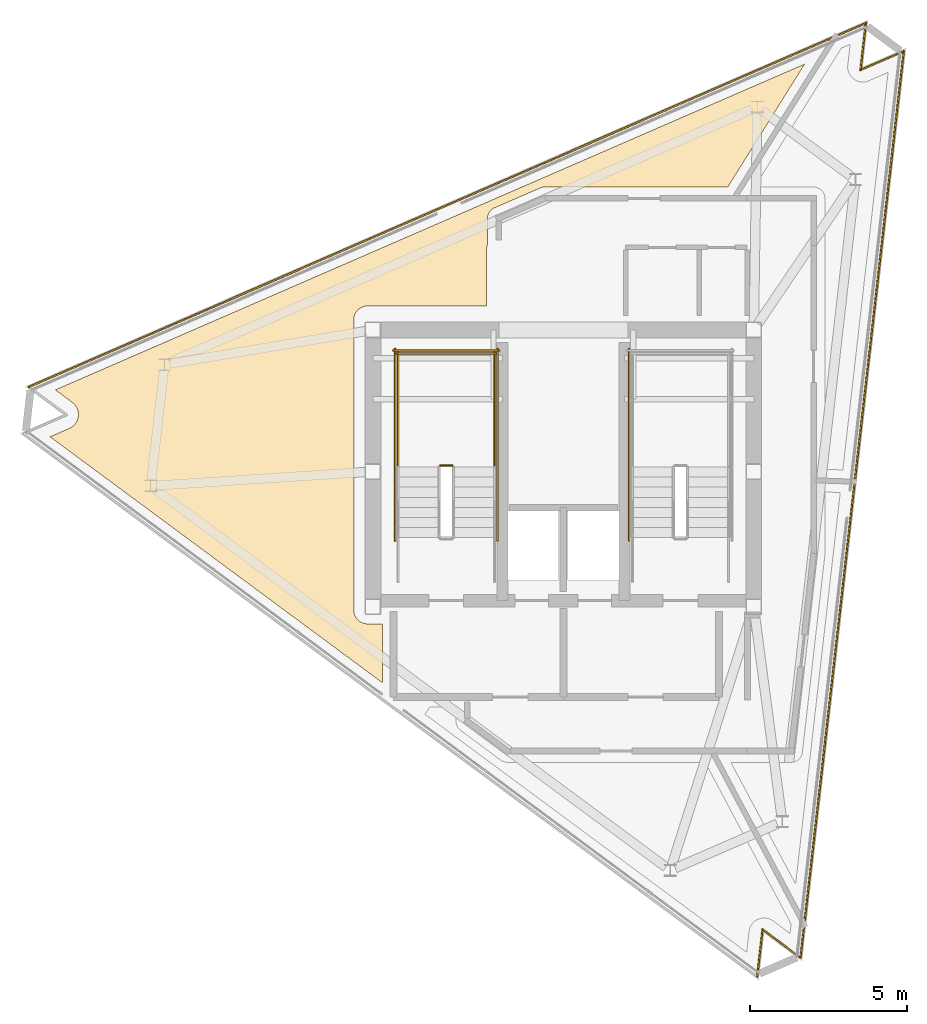
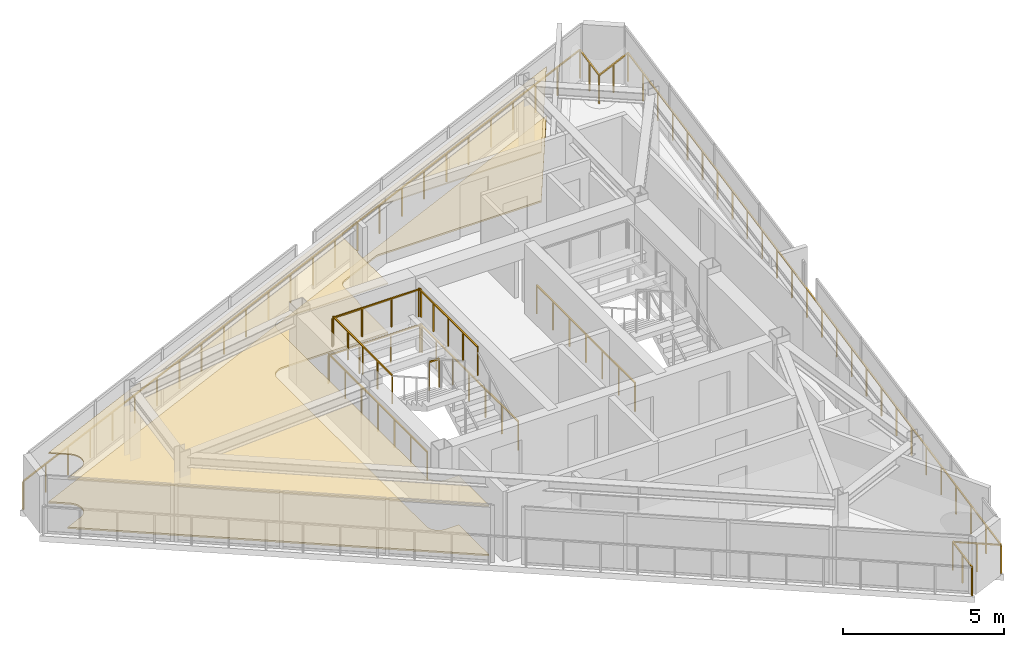
# One storey, part 9 of 10: 10 railings, 2 coverings.
"""IFC4 building model written with IfcOpenShell, lengths in metres."""

import ifcopenshell
import ifcopenshell.guid

model = None  # the IFC model being written
_history = None  # IfcOwnerHistory: only IFC2X3 demands one
_inside = {}  # id of a spatial element -> (the spatial element, [elements in it])
_under = {}  # id of a project, library or spatial element -> (it, [spatial elements below it])
_declared = {}  # id of a project -> (the project, [libraries it declares])
_typed = {}  # id of a type object -> (the type object, [elements of that type])
_made_of = {}  # id of a material, layer set ... -> (it, [elements and type objects made of it])


def new_model(schema):
    """Start an empty IFC model of exactly this schema.

    Asked for "IFC4X3", IfcOpenShell would pick the latest addendum, in which some entities
    have other attributes; the version numbers below select the first issue.
    IFC2X3 requires an IfcOwnerHistory on every rooted entity: one is made here for all.
    """
    global model, _history
    if schema == "IFC4X3":
        model = ifcopenshell.file(schema_version=(4, 3, 0, 0))
    else:
        model = ifcopenshell.file(schema=schema)
    _inside.clear()
    _under.clear()
    _declared.clear()
    _typed.clear()
    _made_of.clear()
    _history = None
    if model.schema == "IFC2X3":
        org = make("IfcOrganization", Name="unknown")
        user = make(
            "IfcPersonAndOrganization",
            ThePerson=make("IfcPerson", FamilyName="unknown"),
            TheOrganization=org,
        )
        app = make(
            "IfcApplication",
            ApplicationDeveloper=org,
            Version="unknown",
            ApplicationFullName="unknown",
            ApplicationIdentifier="unknown",
        )
        _history = make(
            "IfcOwnerHistory",
            OwningUser=user,
            OwningApplication=app,
            ChangeAction="ADDED",
            CreationDate=0,
        )
    return model


def make(cls, **values):
    """One entity of the class cls with the attributes given. An attribute that is None is left unset."""
    return model.create_entity(
        cls, **{name: value for name, value in values.items() if value is not None}
    )


def rooted(cls, **values):
    """An entity with a GlobalId (a new one), such as an element, a storey or a relation."""
    return make(cls, GlobalId=ifcopenshell.guid.new(), OwnerHistory=_history, **values)


def si_unit(unit_type, name, prefix=None):
    """IfcSIUnit, for example si_unit("LENGTHUNIT", "METRE", prefix="MILLI")."""
    return make("IfcSIUnit", UnitType=unit_type, Prefix=prefix, Name=name)


def assignment(units):
    """IfcUnitAssignment: the units of a project."""
    return None if units is None else make("IfcUnitAssignment", Units=units)


def point(xyz):
    """IfcCartesianPoint."""
    return None if xyz is None else make("IfcCartesianPoint", Coordinates=xyz)


def direction(xyz):
    """IfcDirection."""
    return None if xyz is None else make("IfcDirection", DirectionRatios=xyz)


def frame(location, z_axis=None, x_axis=None):
    """IfcAxis2Placement3D, a coordinate frame: its origin and axes. An axis left out is left unset."""
    return make(
        "IfcAxis2Placement3D",
        Location=point(location),
        Axis=direction(z_axis),
        RefDirection=direction(x_axis),
    )


def frame_2d(location, x_axis=None):
    """IfcAxis2Placement2D, a coordinate frame in the plane: its origin and x axis."""
    return make(
        "IfcAxis2Placement2D", Location=point(location), RefDirection=direction(x_axis)
    )


def origin():
    """The frame at (0, 0, 0) with its axes left unset."""
    return frame((0.0, 0.0, 0.0))


def origin_2d():
    """The frame at (0, 0) in the plane with its x axis left unset."""
    return frame_2d((0.0, 0.0))


def place(relative_to, where):
    """IfcLocalPlacement: puts the frame where relative to a parent placement (None: the world)."""
    return make(
        "IfcLocalPlacement", PlacementRelTo=relative_to, RelativePlacement=where
    )


def context(
    kind, dimensions, precision=None, world=None, true_north=None, identifier=None
):
    """IfcGeometricRepresentationContext, for example the 3D "Model" context."""
    return make(
        "IfcGeometricRepresentationContext",
        ContextIdentifier=identifier,
        ContextType=kind,
        CoordinateSpaceDimension=dimensions,
        Precision=precision,
        WorldCoordinateSystem=world,
        TrueNorth=true_north,
    )


def subcontext(parent, identifier, kind, view, scale=None):
    """IfcGeometricRepresentationSubContext, for example "Body" below "Model"."""
    return make(
        "IfcGeometricRepresentationSubContext",
        ContextIdentifier=identifier,
        ContextType=kind,
        ParentContext=parent,
        TargetScale=scale,
        TargetView=view,
    )


def project(units=None, contexts=None):
    """IfcProject with its units and contexts."""
    return rooted(
        "IfcProject",
        Name="project",
        RepresentationContexts=contexts,
        UnitsInContext=assignment(units),
    )


def spatial(cls, under=None, at=None, **own):
    """A site, building, storey or space (cls), placed at a placement, below another one or the project."""
    s = rooted(cls, ObjectPlacement=at, **own)
    if under is not None:
        _under.setdefault(under.id(), (under, []))[1].append(s)
    return s


def polyline(points):
    """IfcPolyline through the points."""
    return make("IfcPolyline", Points=[point(p) for p in points])


def profile(cls, at=None, kind="AREA", **sizes):
    """A parametric profile (cls). Its sizes go by their IFC names, for example OverallWidth=200.0."""
    return make(cls, ProfileType=kind, Position=at, **sizes)


def rectangle(**sizes):
    """IfcRectangleProfileDef."""
    return profile("IfcRectangleProfileDef", **sizes)


def outline(outer, holes=None, kind="AREA"):
    """IfcArbitraryClosedProfileDef: a profile drawn as a closed curve; with holes, ...WithVoids."""
    if holes is None:
        return make("IfcArbitraryClosedProfileDef", ProfileType=kind, OuterCurve=outer)
    return make(
        "IfcArbitraryProfileDefWithVoids",
        ProfileType=kind,
        OuterCurve=outer,
        InnerCurves=holes,
    )


def extrude(swept, where, along, depth):
    """IfcExtrudedAreaSolid: the profile swept, set in the frame where, extruded along a direction by depth."""
    return make(
        "IfcExtrudedAreaSolid",
        SweptArea=swept,
        Position=where,
        ExtrudedDirection=direction(along),
        Depth=depth,
    )


def shape(context_of_items, identifier, shape_type, items):
    """IfcShapeRepresentation: the items that make up one representation, for example the "Body"."""
    return make(
        "IfcShapeRepresentation",
        ContextOfItems=context_of_items,
        RepresentationIdentifier=identifier,
        RepresentationType=shape_type,
        Items=items,
    )


def material(Name=None, Category=None):
    """IfcMaterial."""
    return make("IfcMaterial", Name=Name, Category=Category)


def layer(
    of_material, thickness, ventilated=None, Name=None, Category=None, Priority=None
):
    """IfcMaterialLayer: one layer of a wall or slab, of a material (None: an air gap)."""
    return make(
        "IfcMaterialLayer",
        Material=of_material,
        LayerThickness=thickness,
        IsVentilated=ventilated,
        Name=Name,
        Category=Category,
        Priority=Priority,
    )


def layer_set(layers, Name=None):
    """IfcMaterialLayerSet."""
    return make("IfcMaterialLayerSet", MaterialLayers=layers, LayerSetName=Name)


def made_of(thing, what):
    """Note that an element or type object is made of a material, layer set ...; save() writes the relation."""
    if what is not None:
        _made_of.setdefault(what.id(), (what, []))[1].append(thing)
    return thing


def type_object(cls, material=None, **own):
    """A type object (cls), such as IfcWallType, which elements share."""
    return made_of(rooted(cls, **own), material)


def element(
    cls,
    number,
    at=None,
    inside=None,
    cuts=None,
    type_object=None,
    material=None,
    context=None,
    identifier="Body",
    shape_type=None,
    held_by="IfcProductDefinitionShape",
    body=None,
    shapes=None,
    **own,
):
    """One element of the class cls, such as IfcWall. Its Tag is "e" and its number.

    at: its placement. inside: the storey or other place that contains it. cuts: it is an
    opening in that element (IfcRelVoidsElement). A single representation is given by context,
    identifier, shape_type and body (its items); several are given by shapes. held_by: the class
    of the entity that holds the representations. save() writes the other relations.
    """
    e = rooted(cls, Tag="e%d" % number, ObjectPlacement=at, **own)
    if body is not None:
        shapes = [shape(context, identifier, shape_type, body)]
    if shapes is not None:
        e.Representation = make(held_by, Representations=shapes)
    if inside is not None:
        _inside.setdefault(inside.id(), (inside, []))[1].append(e)
    if cuts is not None:
        rooted(
            "IfcRelVoidsElement", RelatingBuildingElement=cuts, RelatedOpeningElement=e
        )
    if type_object is not None:
        _typed.setdefault(type_object.id(), (type_object, []))[1].append(e)
    return made_of(e, material)


def aggregate(whole, parts):
    """IfcRelAggregates: a whole, such as a stair, and the parts it consists of."""
    return rooted("IfcRelAggregates", RelatingObject=whole, RelatedObjects=parts)


def save(model, path):
    """Write the relations noted so far, then the file.

    IfcRelAggregates (storeys below a building ...), IfcRelContainedInSpatialStructure (elements
    in a storey), IfcRelDefinesByType, IfcRelAssociatesMaterial and IfcRelDeclares: one each for
    every whole, place, type object, material and project.
    """
    for whole, parts in _under.values():
        aggregate(whole, parts)
    for where, things in _inside.values():
        rooted(
            "IfcRelContainedInSpatialStructure",
            RelatedElements=things,
            RelatingStructure=where,
        )
    for kind, things in _typed.values():
        rooted("IfcRelDefinesByType", RelatedObjects=things, RelatingType=kind)
    for what, things in _made_of.values():
        rooted("IfcRelAssociatesMaterial", RelatedObjects=things, RelatingMaterial=what)
    for by, libraries in _declared.values():
        rooted("IfcRelDeclares", RelatingContext=by, RelatedDefinitions=libraries)
    model.write(path)


model = new_model("IFC4")

# Units and contexts
model_context = context("Model", 3, precision=1e-05, world=origin(), true_north=direction((0.0, 1.0)))
body_context = subcontext(model_context, "Body", "Model", "MODEL_VIEW")
ifc_project = project(units=[si_unit("LENGTHUNIT", "METRE"), si_unit("AREAUNIT", "SQUARE_METRE"), si_unit("VOLUMEUNIT", "CUBIC_METRE"), si_unit("PLANEANGLEUNIT", "RADIAN"), si_unit("MASSUNIT", "GRAM", prefix="KILO")], contexts=[model_context])

# Site, building, storey
site_placement = place(None, origin())
site = spatial("IfcSite", under=ifc_project, at=site_placement, CompositionType="ELEMENT")
building_placement = place(site_placement, origin())
building = spatial("IfcBuilding", under=site, at=building_placement, Name="Rocaltana Carrier Exchange", CompositionType="ELEMENT")
storey_placement = place(building_placement, frame((0.0, 0.0, 252.0)))
storey = spatial("IfcBuildingStorey", under=building, at=storey_placement, Name="L80", CompositionType="ELEMENT", Elevation=252.0)

# Coverings
ifc_material_1 = material(Name="Calcium Sulphate & Aluminium Pedestal", Category="aluminium")
ifc_layer_1 = layer(ifc_material_1, 0.06005859375)
ifc_layer_set_1 = layer_set([ifc_layer_1], Name="Calcium Sulphate & Aluminium Pedestal")
covering_type_1 = type_object("IfcCoveringType", Name="Anti-Static Raised Exchange Access Floor 60", PredefinedType="FLOORING", material=ifc_layer_set_1)
covering_1_placement = place(storey_placement, origin())
element("IfcCovering", 1, at=covering_1_placement, inside=storey, type_object=covering_type_1, Name="L80 Signal Calibration Laboratory Finish Floor", PredefinedType="FLOORING", context=body_context, shape_type="SweptSolid", body=[
    extrude(outline(polyline([(-15.698486328125, 1.3701171875), (-15.685791015625, 1.376220703125), (-15.66796875, 1.385009765625), (-15.6435546875, 1.398681640625), (-15.626708984375, 1.4091796875), (-15.603759765625, 1.425048828125), (-15.587890625, 1.4375), (-15.56689453125, 1.45556640625), (-15.55224609375, 1.46923828125), (-15.533203125, 1.489501953125), (-15.52001953125, 1.504638671875), (-15.5029296875, 1.526611328125), (-15.491455078125, 1.54296875), (-15.4765625, 1.56640625), (-15.466796875, 1.583984375), (-15.454345703125, 1.60888671875), (-15.4462890625, 1.627197265625), (-15.436279296875, 1.6533203125), (-15.430419921875, 1.672119140625), (-15.423095703125, 1.69921875), (-15.418701171875, 1.718505859375), (-15.414306640625, 1.74609375), (-15.412109375, 1.76611328125), (-15.41015625, 1.7939453125), (-15.409912109375, 1.813720703125), (-15.410888671875, 1.841796875), (-15.41259765625, 1.861572265625), (-15.41650390625, 1.88916015625), (-15.420166015625, 1.90869140625), (-15.4267578125, 1.935791015625), (-15.432373046875, 1.955078125), (-15.44140625, 1.9814453125), (-15.448974609375, 2.0), (-15.460693359375, 2.025146484375), (-15.469970703125, 2.04296875), (-15.484130859375, 2.06689453125), (-15.4951171875, 2.08349609375), (-15.51171875, 2.10595703125), (-15.5244140625, 2.121337890625), (-15.543212890625, 2.14208984375), (-15.55712890625, 2.15625), (-15.577880859375, 2.175048828125), (-15.59326171875, 2.187744140625), (-15.604248046875, 2.1962890625), (-16.1416015625, 2.593994140625), (7.66455078125, 12.9453125), (5.224365234375, 9.0400390625), (-0.58984375, 9.0400390625), (-0.604248046875, 9.03955078125), (-0.6123046875, 9.039306640625), (-0.64111328125, 9.036376953125), (-0.649169921875, 9.034912109375), (-0.67724609375, 9.029296875), (-0.68505859375, 9.027099609375), (-0.71240234375, 9.018310546875), (-0.72021484375, 9.015380859375), (-0.7333984375, 9.010009765625), (-2.193603515625, 8.375244140625), (-2.205810546875, 8.36962890625), (-2.212890625, 8.3662109375), (-2.236328125, 8.35302734375), (-2.242919921875, 8.348876953125), (-2.265380859375, 8.33349609375), (-2.271484375, 8.328857421875), (-2.2919921875, 8.311279296875), (-2.2978515625, 8.30615234375), (-2.316650390625, 8.286865234375), (-2.322021484375, 8.281005859375), (-2.3388671875, 8.260009765625), (-2.343505859375, 8.253662109375), (-2.358154296875, 8.23095703125), (-2.362060546875, 8.224365234375), (-2.374755859375, 8.200439453125), (-2.3779296875, 8.193359375), (-2.38818359375, 8.168212890625), (-2.390869140625, 8.160888671875), (-2.3984375, 8.135009765625), (-2.400390625, 8.127685546875), (-2.405517578125, 8.10107421875), (-2.40673828125, 8.09326171875), (-2.4091796875, 8.06640625), (-2.40966796875, 8.05859375), (-2.409912109375, 8.045166015625), (-2.409912109375, 7.208984375), (-2.41162109375, 7.20556640625), (-2.416748046875, 7.19091796875), (-2.4248046875, 7.16455078125), (-2.428466796875, 7.149169921875), (-2.433837890625, 7.122314453125), (-2.436279296875, 7.106689453125), (-2.43896484375, 7.079345703125), (-2.439697265625, 7.063720703125), (-2.43994140625, 7.050048828125), (-2.43994140625, 5.260009765625), (-6.219970703125, 5.260009765625), (-6.233642578125, 5.259765625), (-6.24951171875, 5.2587890625), (-6.27685546875, 5.256103515625), (-6.292236328125, 5.25390625), (-6.319091796875, 5.24853515625), (-6.33447265625, 5.24462890625), (-6.36083984375, 5.23681640625), (-6.37548828125, 5.2314453125), (-6.40087890625, 5.220947265625), (-6.4150390625, 5.214111328125), (-6.439453125, 5.201416015625), (-6.452880859375, 5.193115234375), (-6.4755859375, 5.177978515625), (-6.48828125, 5.168701171875), (-6.509521484375, 5.151123046875), (-6.521240234375, 5.140625), (-6.54052734375, 5.12109375), (-6.551025390625, 5.109619140625), (-6.568603515625, 5.08837890625), (-6.577880859375, 5.07568359375), (-6.59326171875, 5.052734375), (-6.601318359375, 5.039306640625), (-6.6142578125, 5.01513671875), (-6.620849609375, 5.0009765625), (-6.631591796875, 4.9755859375), (-6.63671875, 4.960693359375), (-6.644775390625, 4.9345703125), (-6.6484375, 4.919189453125), (-6.65380859375, 4.892333984375), (-6.65625, 4.876708984375), (-6.658935546875, 4.849365234375), (-6.65966796875, 4.833740234375), (-6.659912109375, 4.820068359375), (-6.659912109375, -4.39990234375), (-6.65966796875, -4.413818359375), (-6.658935546875, -4.429443359375), (-6.65625, -4.456787109375), (-6.65380859375, -4.472412109375), (-6.6484375, -4.499267578125), (-6.644775390625, -4.514404296875), (-6.63671875, -4.540771484375), (-6.631591796875, -4.5556640625), (-6.620849609375, -4.580810546875), (-6.6142578125, -4.59521484375), (-6.601318359375, -4.619384765625), (-6.59326171875, -4.6328125), (-6.577880859375, -4.65576171875), (-6.568603515625, -4.668212890625), (-6.551025390625, -4.689453125), (-6.54052734375, -4.701171875), (-6.521240234375, -4.720703125), (-6.509521484375, -4.731201171875), (-6.48828125, -4.74853515625), (-6.4755859375, -4.7578125), (-6.452880859375, -4.773193359375), (-6.439453125, -4.78125), (-6.4150390625, -4.794189453125), (-6.40087890625, -4.80078125), (-6.37548828125, -4.8115234375), (-6.36083984375, -4.816650390625), (-6.33447265625, -4.82470703125), (-6.319091796875, -4.82861328125), (-6.292236328125, -4.833984375), (-6.27685546875, -4.836181640625), (-6.24951171875, -4.8388671875), (-6.233642578125, -4.839599609375), (-6.219970703125, -4.840087890625), (-5.739990234375, -4.840087890625), (-5.739990234375, -6.718994140625), (-16.3115234375, 1.103515625), (-15.698486328125, 1.3701171875)])), origin(), (0.0, 0.0, 1.0), 0.06005859375),
])
ifc_material_2 = material(Name="Mineral Fibre & Powder-Coated Aluminium", Category="aluminium")
ifc_layer_2 = layer(ifc_material_2, 0.044921875)
ifc_layer_set_2 = layer_set([ifc_layer_2], Name="Mineral Fibre & Powder-Coated Aluminium")
covering_type_2 = type_object("IfcCoveringType", Name="Micro-Perforated Acoustic Ceiling 45", PredefinedType="CEILING", material=ifc_layer_set_2)
covering_2_placement = place(storey_placement, frame((0.0, 0.0, 1.873046875)))
element("IfcCovering", 2, at=covering_2_placement, inside=storey, type_object=covering_type_2, Name="L80 Signal Calibration Laboratory Acoustic Ceiling", PredefinedType="CEILING", context=body_context, shape_type="SweptSolid", body=[
    extrude(outline(polyline([(-15.698486328125, 1.3701171875), (-15.685791015625, 1.376220703125), (-15.66796875, 1.385009765625), (-15.6435546875, 1.398681640625), (-15.626708984375, 1.4091796875), (-15.603759765625, 1.425048828125), (-15.587890625, 1.4375), (-15.56689453125, 1.45556640625), (-15.55224609375, 1.46923828125), (-15.533203125, 1.489501953125), (-15.52001953125, 1.504638671875), (-15.5029296875, 1.526611328125), (-15.491455078125, 1.54296875), (-15.4765625, 1.56640625), (-15.466796875, 1.583984375), (-15.454345703125, 1.60888671875), (-15.4462890625, 1.627197265625), (-15.436279296875, 1.6533203125), (-15.430419921875, 1.672119140625), (-15.423095703125, 1.69921875), (-15.418701171875, 1.718505859375), (-15.414306640625, 1.74609375), (-15.412109375, 1.76611328125), (-15.41015625, 1.7939453125), (-15.409912109375, 1.813720703125), (-15.410888671875, 1.841796875), (-15.41259765625, 1.861572265625), (-15.41650390625, 1.88916015625), (-15.420166015625, 1.90869140625), (-15.4267578125, 1.935791015625), (-15.432373046875, 1.955078125), (-15.44140625, 1.9814453125), (-15.448974609375, 2.0), (-15.460693359375, 2.025146484375), (-15.469970703125, 2.04296875), (-15.484130859375, 2.06689453125), (-15.4951171875, 2.08349609375), (-15.51171875, 2.10595703125), (-15.5244140625, 2.121337890625), (-15.543212890625, 2.14208984375), (-15.55712890625, 2.15625), (-15.577880859375, 2.175048828125), (-15.59326171875, 2.187744140625), (-15.604248046875, 2.1962890625), (-16.1416015625, 2.593994140625), (7.66455078125, 12.9453125), (5.224365234375, 9.0400390625), (-0.58984375, 9.0400390625), (-0.604248046875, 9.03955078125), (-0.6123046875, 9.039306640625), (-0.64111328125, 9.036376953125), (-0.649169921875, 9.034912109375), (-0.67724609375, 9.029296875), (-0.68505859375, 9.027099609375), (-0.71240234375, 9.018310546875), (-0.72021484375, 9.015380859375), (-0.7333984375, 9.010009765625), (-2.193603515625, 8.375244140625), (-2.205810546875, 8.36962890625), (-2.212890625, 8.3662109375), (-2.236328125, 8.35302734375), (-2.242919921875, 8.348876953125), (-2.265380859375, 8.33349609375), (-2.271484375, 8.328857421875), (-2.2919921875, 8.311279296875), (-2.2978515625, 8.30615234375), (-2.316650390625, 8.286865234375), (-2.322021484375, 8.281005859375), (-2.3388671875, 8.260009765625), (-2.343505859375, 8.253662109375), (-2.358154296875, 8.23095703125), (-2.362060546875, 8.224365234375), (-2.374755859375, 8.200439453125), (-2.3779296875, 8.193359375), (-2.38818359375, 8.168212890625), (-2.390869140625, 8.160888671875), (-2.3984375, 8.135009765625), (-2.400390625, 8.127685546875), (-2.405517578125, 8.10107421875), (-2.40673828125, 8.09326171875), (-2.4091796875, 8.06640625), (-2.40966796875, 8.05859375), (-2.409912109375, 8.045166015625), (-2.409912109375, 7.208984375), (-2.41162109375, 7.20556640625), (-2.416748046875, 7.19091796875), (-2.4248046875, 7.16455078125), (-2.428466796875, 7.149169921875), (-2.433837890625, 7.122314453125), (-2.436279296875, 7.106689453125), (-2.43896484375, 7.079345703125), (-2.439697265625, 7.063720703125), (-2.43994140625, 7.050048828125), (-2.43994140625, 5.260009765625), (-6.219970703125, 5.260009765625), (-6.233642578125, 5.259765625), (-6.24951171875, 5.2587890625), (-6.27685546875, 5.256103515625), (-6.292236328125, 5.25390625), (-6.319091796875, 5.24853515625), (-6.33447265625, 5.24462890625), (-6.36083984375, 5.23681640625), (-6.37548828125, 5.2314453125), (-6.40087890625, 5.220947265625), (-6.4150390625, 5.214111328125), (-6.439453125, 5.201416015625), (-6.452880859375, 5.193115234375), (-6.4755859375, 5.177978515625), (-6.48828125, 5.168701171875), (-6.509521484375, 5.151123046875), (-6.521240234375, 5.140625), (-6.54052734375, 5.12109375), (-6.551025390625, 5.109619140625), (-6.568603515625, 5.08837890625), (-6.577880859375, 5.07568359375), (-6.59326171875, 5.052734375), (-6.601318359375, 5.039306640625), (-6.6142578125, 5.01513671875), (-6.620849609375, 5.0009765625), (-6.631591796875, 4.9755859375), (-6.63671875, 4.960693359375), (-6.644775390625, 4.9345703125), (-6.6484375, 4.919189453125), (-6.65380859375, 4.892333984375), (-6.65625, 4.876708984375), (-6.658935546875, 4.849365234375), (-6.65966796875, 4.833740234375), (-6.659912109375, 4.820068359375), (-6.659912109375, -4.39990234375), (-6.65966796875, -4.413818359375), (-6.658935546875, -4.429443359375), (-6.65625, -4.456787109375), (-6.65380859375, -4.472412109375), (-6.6484375, -4.499267578125), (-6.644775390625, -4.514404296875), (-6.63671875, -4.540771484375), (-6.631591796875, -4.5556640625), (-6.620849609375, -4.580810546875), (-6.6142578125, -4.59521484375), (-6.601318359375, -4.619384765625), (-6.59326171875, -4.6328125), (-6.577880859375, -4.65576171875), (-6.568603515625, -4.668212890625), (-6.551025390625, -4.689453125), (-6.54052734375, -4.701171875), (-6.521240234375, -4.720703125), (-6.509521484375, -4.731201171875), (-6.48828125, -4.74853515625), (-6.4755859375, -4.7578125), (-6.452880859375, -4.773193359375), (-6.439453125, -4.78125), (-6.4150390625, -4.794189453125), (-6.40087890625, -4.80078125), (-6.37548828125, -4.8115234375), (-6.36083984375, -4.816650390625), (-6.33447265625, -4.82470703125), (-6.319091796875, -4.82861328125), (-6.292236328125, -4.833984375), (-6.27685546875, -4.836181640625), (-6.24951171875, -4.8388671875), (-6.233642578125, -4.839599609375), (-6.219970703125, -4.840087890625), (-5.739990234375, -4.840087890625), (-5.739990234375, -6.718994140625), (-16.3115234375, 1.103515625), (-15.698486328125, 1.3701171875)])), origin(), (0.0, 0.0, 1.0), 0.044921875),
])

# Railings
ifc_material_3 = material(Name="Powder-Coated Aluminium 6063-T6", Category="aluminium")
ifc_layer_3 = layer(ifc_material_3, 0.048095703125)
ifc_layer_set_3 = layer_set([ifc_layer_3], Name="Powder-Coated Aluminium 6063-T6")
railing_type_1 = type_object("IfcRailingType", Name="Stair Well Guardrail 1100", PredefinedType="GUARDRAIL", material=ifc_layer_set_3)
railing_1_placement = place(storey_placement, frame((-3.5400390625, 0.18994140625, 1.43994140625)))
element("IfcRailing", 3, at=railing_1_placement, inside=storey, type_object=railing_type_1, Name="L80 ST-1 stair guard 2", PredefinedType="GUARDRAIL", context=body_context, shape_type="SweptSolid", body=[
    extrude(rectangle(XDim=0.048095703125, YDim=0.048095703125, at=origin_2d()), frame((0.0, 0.0, 1.076171875), z_axis=(-1.0, 0.0, 0.0), x_axis=(0.0, -1.0, 0.0)), (0.0, 0.0, 1.0), 0.35986328125),
    extrude(rectangle(XDim=0.0419921875, YDim=0.0419921875, at=origin_2d()), origin(), (0.0, 0.0, 1.0), 1.052001953125),
    extrude(rectangle(XDim=0.0419921875, YDim=0.0419921875, at=origin_2d()), frame((-0.35986328125, 0.0, 0.0)), (0.0, 0.0, 1.0), 1.052001953125),
])
for number, where, name in (
    (4, (-2.18994140625, 0.139892578125, 1.43994140625), "L80 ST-1 stair guard 3"),
    (5, (-5.25, 0.139892578125, 1.43994140625), "L80 ST-1 stair guard 4"),
):
    element("IfcRailing", number, at=place(storey_placement, frame(where)), inside=storey, type_object=railing_type_1, Name=name, PredefinedType="GUARDRAIL", context=body_context, shape_type="SweptSolid", body=[
        extrude(rectangle(XDim=0.048095703125, YDim=0.048095703125, at=origin_2d()), frame((0.0, 0.0, 1.076171875), z_axis=(0.0, 1.0, 0.0), x_axis=(-1.0, 0.0, 0.0)), (0.0, 0.0, 1.0), 3.66015625),
        extrude(rectangle(XDim=0.0419921875, YDim=0.0419921875, at=origin_2d()), origin(), (0.0, 0.0, 1.0), 1.052001953125),
        extrude(rectangle(XDim=0.0419921875, YDim=0.0419921875, at=origin_2d()), frame((0.0, 0.9150390625, 0.0)), (0.0, 0.0, 1.0), 1.052001953125),
        extrude(rectangle(XDim=0.0419921875, YDim=0.0419921875, at=origin_2d()), frame((0.0, 1.830078125, 0.0)), (0.0, 0.0, 1.0), 1.052001953125),
        extrude(rectangle(XDim=0.0419921875, YDim=0.0419921875, at=origin_2d()), frame((0.0, 2.7451171875, 0.0)), (0.0, 0.0, 1.0), 1.052001953125),
        extrude(rectangle(XDim=0.0419921875, YDim=0.0419921875, at=origin_2d()), frame((0.0, 3.66015625, 0.0)), (0.0, 0.0, 1.0), 1.052001953125),
    ])
railing_2_placement = place(storey_placement, frame((-2.139892578125, 3.75, 1.43994140625)))
element("IfcRailing", 6, at=railing_2_placement, inside=storey, type_object=railing_type_1, Name="L80 ST-1 stair guard 5", PredefinedType="GUARDRAIL", context=body_context, shape_type="SweptSolid", body=[
    extrude(rectangle(XDim=0.048095703125, YDim=0.048095703125, at=origin_2d()), frame((0.0, 0.0, 1.076171875), z_axis=(-1.0, 0.0, 0.0), x_axis=(0.0, -1.0, 0.0)), (0.0, 0.0, 1.0), 3.16015625),
    extrude(rectangle(XDim=0.0419921875, YDim=0.0419921875, at=origin_2d()), origin(), (0.0, 0.0, 1.0), 1.052001953125),
    extrude(rectangle(XDim=0.0419921875, YDim=0.0419921875, at=origin_2d()), frame((-1.053466796875, 0.0, 0.0)), (0.0, 0.0, 1.0), 1.052001953125),
    extrude(rectangle(XDim=0.0419921875, YDim=0.0419921875, at=origin_2d()), frame((-2.106689453125, 0.0, 0.0)), (0.0, 0.0, 1.0), 1.052001953125),
    extrude(rectangle(XDim=0.0419921875, YDim=0.0419921875, at=origin_2d()), frame((-3.16015625, 0.0, 0.0)), (0.0, 0.0, 1.0), 1.052001953125),
])
for number, where, name in (
    (7, (-2.090087890625, -2.199951171875, 0.0), "L80 ST-1 stair guard 10"),
    (8, (-5.35009765625, -2.199951171875, 0.0), "L80 ST-1 stair guard 11"),
):
    element("IfcRailing", number, at=place(storey_placement, frame(where)), inside=storey, type_object=railing_type_1, Name=name, PredefinedType="GUARDRAIL", context=body_context, shape_type="SweptSolid", body=[
        extrude(rectangle(XDim=0.048095703125, YDim=0.048095703125, at=origin_2d()), frame((0.0, 0.0, 1.076171875), z_axis=(0.0, 1.0, 0.0), x_axis=(-1.0, 0.0, 0.0)), (0.0, 0.0, 1.0), 6.099853515625),
        extrude(rectangle(XDim=0.0419921875, YDim=0.0419921875, at=origin_2d()), origin(), (0.0, 0.0, 1.0), 1.052001953125),
        extrude(rectangle(XDim=0.0419921875, YDim=0.0419921875, at=origin_2d()), frame((0.0, 1.0166015625, 0.0)), (0.0, 0.0, 1.0), 1.052001953125),
        extrude(rectangle(XDim=0.0419921875, YDim=0.0419921875, at=origin_2d()), frame((0.0, 2.033203125, 0.0)), (0.0, 0.0, 1.0), 1.052001953125),
        extrude(rectangle(XDim=0.0419921875, YDim=0.0419921875, at=origin_2d()), frame((0.0, 3.0498046875, 0.0)), (0.0, 0.0, 1.0), 1.052001953125),
        extrude(rectangle(XDim=0.0419921875, YDim=0.0419921875, at=origin_2d()), frame((0.0, 4.066650390625, 0.0)), (0.0, 0.0, 1.0), 1.052001953125),
        extrude(rectangle(XDim=0.0419921875, YDim=0.0419921875, at=origin_2d()), frame((0.0, 5.083251953125, 0.0)), (0.0, 0.0, 1.0), 1.052001953125),
        extrude(rectangle(XDim=0.0419921875, YDim=0.0419921875, at=origin_2d()), frame((0.0, 6.099853515625, 0.0)), (0.0, 0.0, 1.0), 1.052001953125),
    ])
railing_3_placement = place(storey_placement, frame((-2.0400390625, 3.85009765625, 0.0)))
element("IfcRailing", 9, at=railing_3_placement, inside=storey, type_object=railing_type_1, Name="L80 ST-1 stair guard 12", PredefinedType="GUARDRAIL", context=body_context, shape_type="SweptSolid", body=[
    extrude(rectangle(XDim=0.048095703125, YDim=0.048095703125, at=origin_2d()), frame((0.0, 0.0, 1.076171875), z_axis=(-1.0, 0.0, 0.0), x_axis=(0.0, -1.0, 0.0)), (0.0, 0.0, 1.0), 3.35986328125),
    extrude(rectangle(XDim=0.0419921875, YDim=0.0419921875, at=origin_2d()), origin(), (0.0, 0.0, 1.0), 1.052001953125),
    extrude(rectangle(XDim=0.0419921875, YDim=0.0419921875, at=origin_2d()), frame((-1.119873046875, 0.0, 0.0)), (0.0, 0.0, 1.0), 1.052001953125),
    extrude(rectangle(XDim=0.0419921875, YDim=0.0419921875, at=origin_2d()), frame((-2.239990234375, 0.0, 0.0)), (0.0, 0.0, 1.0), 1.052001953125),
    extrude(rectangle(XDim=0.0419921875, YDim=0.0419921875, at=origin_2d()), frame((-3.35986328125, 0.0, 0.0)), (0.0, 0.0, 1.0), 1.052001953125),
])
railing_4_placement = place(storey_placement, frame((2.090087890625, -2.199951171875, 0.0)))
element("IfcRailing", 10, at=railing_4_placement, inside=storey, type_object=railing_type_1, Name="L80 ST-2 stair guard 11", PredefinedType="GUARDRAIL", context=body_context, shape_type="SweptSolid", body=[
    extrude(rectangle(XDim=0.048095703125, YDim=0.048095703125, at=origin_2d()), frame((0.0, 0.0, 1.076171875), z_axis=(0.0, 1.0, 0.0), x_axis=(-1.0, 0.0, 0.0)), (0.0, 0.0, 1.0), 6.099853515625),
    extrude(rectangle(XDim=0.0419921875, YDim=0.0419921875, at=origin_2d()), origin(), (0.0, 0.0, 1.0), 1.052001953125),
    extrude(rectangle(XDim=0.0419921875, YDim=0.0419921875, at=origin_2d()), frame((0.0, 1.0166015625, 0.0)), (0.0, 0.0, 1.0), 1.052001953125),
    extrude(rectangle(XDim=0.0419921875, YDim=0.0419921875, at=origin_2d()), frame((0.0, 2.033203125, 0.0)), (0.0, 0.0, 1.0), 1.052001953125),
    extrude(rectangle(XDim=0.0419921875, YDim=0.0419921875, at=origin_2d()), frame((0.0, 3.0498046875, 0.0)), (0.0, 0.0, 1.0), 1.052001953125),
    extrude(rectangle(XDim=0.0419921875, YDim=0.0419921875, at=origin_2d()), frame((0.0, 4.066650390625, 0.0)), (0.0, 0.0, 1.0), 1.052001953125),
    extrude(rectangle(XDim=0.0419921875, YDim=0.0419921875, at=origin_2d()), frame((0.0, 5.083251953125, 0.0)), (0.0, 0.0, 1.0), 1.052001953125),
    extrude(rectangle(XDim=0.0419921875, YDim=0.0419921875, at=origin_2d()), frame((0.0, 6.099853515625, 0.0)), (0.0, 0.0, 1.0), 1.052001953125),
])
ifc_material_4 = material(Name="Powder-Coated Aluminium 6063-T6", Category="aluminium")
ifc_layer_4 = layer(ifc_material_4, 0.06005859375)
ifc_layer_set_4 = layer_set([ifc_layer_4], Name="Powder-Coated Aluminium 6063-T6")
railing_type_2 = type_object("IfcRailingType", Name="Wind-Floor & Terrace Perimeter Guardrail 1100", PredefinedType="GUARDRAIL", material=ifc_layer_set_4)
railing_5_placement = place(storey_placement, frame((-16.976318359375, 2.68896484375, 0.0)))
element("IfcRailing", 11, at=railing_5_placement, inside=storey, type_object=railing_type_2, Name="L80 Perimeter Balcony Guardrail 2", PredefinedType="GUARDRAIL", context=body_context, shape_type="SweptSolid", body=[
    extrude(rectangle(XDim=0.048095703125, YDim=0.048095703125, at=origin_2d()), frame((0.0, 0.0, 1.076171875), z_axis=(0.91705988118, 0.398749513266, 0.0), x_axis=(-0.398749513266, 0.91705988118, 0.0)), (0.0, 0.0, 1.0), 28.991943359375),
    extrude(rectangle(XDim=0.048095703125, YDim=0.048095703125, at=origin_2d()), frame((26.58740234375, 11.560546875, 1.076171875), z_axis=(-0.113128821835, -0.993580328746, 0.0), x_axis=(0.993580328746, -0.113128821835, 0.0)), (0.0, 0.0, 1.0), 1.499755859375),
    extrude(rectangle(XDim=0.048095703125, YDim=0.048095703125, at=origin_2d()), frame((26.417724609375, 10.0703125, 1.076171875), z_axis=(0.917044176795, 0.398785628887, 0.0), x_axis=(-0.398785628887, 0.917044176795, 0.0)), (0.0, 0.0, 1.0), 1.5),
    extrude(rectangle(XDim=0.0419921875, YDim=0.0419921875, at=origin_2d()), origin(), (0.0, 0.0, 1.0), 1.052001953125),
    extrude(rectangle(XDim=0.0419921875, YDim=0.0419921875, at=origin_2d()), frame((1.0634765625, 0.46240234375, 0.0)), (0.0, 0.0, 1.0), 1.052001953125),
    extrude(rectangle(XDim=0.0419921875, YDim=0.0419921875, at=origin_2d()), frame((2.126953125, 0.9248046875, 0.0)), (0.0, 0.0, 1.0), 1.052001953125),
    extrude(rectangle(XDim=0.0419921875, YDim=0.0419921875, at=origin_2d()), frame((3.1904296875, 1.38720703125, 0.0)), (0.0, 0.0, 1.0), 1.052001953125),
    extrude(rectangle(XDim=0.0419921875, YDim=0.0419921875, at=origin_2d()), frame((4.25390625, 1.849609375, 0.0)), (0.0, 0.0, 1.0), 1.052001953125),
    extrude(rectangle(XDim=0.0419921875, YDim=0.0419921875, at=origin_2d()), frame((5.3173828125, 2.31201171875, 0.0)), (0.0, 0.0, 1.0), 1.052001953125),
    extrude(rectangle(XDim=0.0419921875, YDim=0.0419921875, at=origin_2d()), frame((6.380859375, 2.7744140625, 0.0)), (0.0, 0.0, 1.0), 1.052001953125),
    extrude(rectangle(XDim=0.0419921875, YDim=0.0419921875, at=origin_2d()), frame((7.444580078125, 3.237060546875, 0.0)), (0.0, 0.0, 1.0), 1.052001953125),
    extrude(rectangle(XDim=0.0419921875, YDim=0.0419921875, at=origin_2d()), frame((8.508056640625, 3.699462890625, 0.0)), (0.0, 0.0, 1.0), 1.052001953125),
    extrude(rectangle(XDim=0.0419921875, YDim=0.0419921875, at=origin_2d()), frame((9.571533203125, 4.161865234375, 0.0)), (0.0, 0.0, 1.0), 1.052001953125),
    extrude(rectangle(XDim=0.0419921875, YDim=0.0419921875, at=origin_2d()), frame((10.635009765625, 4.624267578125, 0.0)), (0.0, 0.0, 1.0), 1.052001953125),
    extrude(rectangle(XDim=0.0419921875, YDim=0.0419921875, at=origin_2d()), frame((11.698486328125, 5.086669921875, 0.0)), (0.0, 0.0, 1.0), 1.052001953125),
    extrude(rectangle(XDim=0.0419921875, YDim=0.0419921875, at=origin_2d()), frame((12.761962890625, 5.549072265625, 0.0)), (0.0, 0.0, 1.0), 1.052001953125),
    extrude(rectangle(XDim=0.0419921875, YDim=0.0419921875, at=origin_2d()), frame((13.825439453125, 6.011474609375, 0.0)), (0.0, 0.0, 1.0), 1.052001953125),
    extrude(rectangle(XDim=0.0419921875, YDim=0.0419921875, at=origin_2d()), frame((14.888916015625, 6.473876953125, 0.0)), (0.0, 0.0, 1.0), 1.052001953125),
    extrude(rectangle(XDim=0.0419921875, YDim=0.0419921875, at=origin_2d()), frame((15.952392578125, 6.936279296875, 0.0)), (0.0, 0.0, 1.0), 1.052001953125),
    extrude(rectangle(XDim=0.0419921875, YDim=0.0419921875, at=origin_2d()), frame((17.015869140625, 7.398681640625, 0.0)), (0.0, 0.0, 1.0), 1.052001953125),
    extrude(rectangle(XDim=0.0419921875, YDim=0.0419921875, at=origin_2d()), frame((18.079345703125, 7.861083984375, 0.0)), (0.0, 0.0, 1.0), 1.052001953125),
    extrude(rectangle(XDim=0.0419921875, YDim=0.0419921875, at=origin_2d()), frame((19.142822265625, 8.323486328125, 0.0)), (0.0, 0.0, 1.0), 1.052001953125),
    extrude(rectangle(XDim=0.0419921875, YDim=0.0419921875, at=origin_2d()), frame((20.20654296875, 8.7861328125, 0.0)), (0.0, 0.0, 1.0), 1.052001953125),
    extrude(rectangle(XDim=0.0419921875, YDim=0.0419921875, at=origin_2d()), frame((21.27001953125, 9.24853515625, 0.0)), (0.0, 0.0, 1.0), 1.052001953125),
    extrude(rectangle(XDim=0.0419921875, YDim=0.0419921875, at=origin_2d()), frame((22.33349609375, 9.7109375, 0.0)), (0.0, 0.0, 1.0), 1.052001953125),
    extrude(rectangle(XDim=0.0419921875, YDim=0.0419921875, at=origin_2d()), frame((23.39697265625, 10.17333984375, 0.0)), (0.0, 0.0, 1.0), 1.052001953125),
    extrude(rectangle(XDim=0.0419921875, YDim=0.0419921875, at=origin_2d()), frame((24.46044921875, 10.6357421875, 0.0)), (0.0, 0.0, 1.0), 1.052001953125),
    extrude(rectangle(XDim=0.0419921875, YDim=0.0419921875, at=origin_2d()), frame((25.52392578125, 11.09814453125, 0.0)), (0.0, 0.0, 1.0), 1.052001953125),
    extrude(rectangle(XDim=0.0419921875, YDim=0.0419921875, at=origin_2d()), frame((26.58740234375, 11.560546875, 0.0)), (0.0, 0.0, 1.0), 1.052001953125),
    extrude(rectangle(XDim=0.0419921875, YDim=0.0419921875, at=origin_2d()), frame((26.50244140625, 10.8154296875, 0.0)), (0.0, 0.0, 1.0), 1.052001953125),
    extrude(rectangle(XDim=0.0419921875, YDim=0.0419921875, at=origin_2d()), frame((26.417724609375, 10.0703125, 0.0)), (0.0, 0.0, 1.0), 1.052001953125),
    extrude(rectangle(XDim=0.0419921875, YDim=0.0419921875, at=origin_2d()), frame((27.10546875, 10.369384765625, 0.0)), (0.0, 0.0, 1.0), 1.052001953125),
    extrude(rectangle(XDim=0.0419921875, YDim=0.0419921875, at=origin_2d()), frame((27.793212890625, 10.66845703125, 0.0)), (0.0, 0.0, 1.0), 1.052001953125),
])
railing_6_placement = place(storey_placement, frame((10.81689453125, 13.357421875, 0.0)))
element("IfcRailing", 12, at=railing_6_placement, inside=storey, type_object=railing_type_2, Name="L80 Perimeter Balcony Guardrail 3", PredefinedType="GUARDRAIL", context=body_context, shape_type="SweptSolid", body=[
    extrude(rectangle(XDim=0.048095703125, YDim=0.048095703125, at=origin_2d()), frame((0.0, 0.0, 1.076171875), z_axis=(-0.113201979392, -0.993571996315, 0.0), x_axis=(0.993571996315, -0.113201979392, 0.0)), (0.0, 0.0, 1.0), 28.9921875),
    extrude(rectangle(XDim=0.048095703125, YDim=0.048095703125, at=origin_2d()), frame((-3.281982421875, -28.805908203125, 1.076171875), z_axis=(-0.80383100408, 0.594857728267, 0.0), x_axis=(-0.594857728267, -0.80383100408, 0.0)), (0.0, 0.0, 1.0), 1.5),
    extrude(rectangle(XDim=0.048095703125, YDim=0.048095703125, at=origin_2d()), frame((-4.48779296875, -27.91357421875, 1.076171875), z_axis=(-0.113128821835, -0.993580328746, 0.0), x_axis=(0.993580328746, -0.113128821835, 0.0)), (0.0, 0.0, 1.0), 1.499755859375),
    extrude(rectangle(XDim=0.0419921875, YDim=0.0419921875, at=origin_2d()), origin(), (0.0, 0.0, 1.0), 1.052001953125),
    extrude(rectangle(XDim=0.0419921875, YDim=0.0419921875, at=origin_2d()), frame((-0.13134765625, -1.15234375, 0.0)), (0.0, 0.0, 1.0), 1.052001953125),
    extrude(rectangle(XDim=0.0419921875, YDim=0.0419921875, at=origin_2d()), frame((-0.262451171875, -2.304443359375, 0.0)), (0.0, 0.0, 1.0), 1.052001953125),
    extrude(rectangle(XDim=0.0419921875, YDim=0.0419921875, at=origin_2d()), frame((-0.393798828125, -3.456787109375, 0.0)), (0.0, 0.0, 1.0), 1.052001953125),
    extrude(rectangle(XDim=0.0419921875, YDim=0.0419921875, at=origin_2d()), frame((-0.525146484375, -4.60888671875, 0.0)), (0.0, 0.0, 1.0), 1.052001953125),
    extrude(rectangle(XDim=0.0419921875, YDim=0.0419921875, at=origin_2d()), frame((-0.656494140625, -5.76123046875, 0.0)), (0.0, 0.0, 1.0), 1.052001953125),
    extrude(rectangle(XDim=0.0419921875, YDim=0.0419921875, at=origin_2d()), frame((-0.78759765625, -6.913330078125, 0.0)), (0.0, 0.0, 1.0), 1.052001953125),
    extrude(rectangle(XDim=0.0419921875, YDim=0.0419921875, at=origin_2d()), frame((-0.9189453125, -8.065673828125, 0.0)), (0.0, 0.0, 1.0), 1.052001953125),
    extrude(rectangle(XDim=0.0419921875, YDim=0.0419921875, at=origin_2d()), frame((-1.05029296875, -9.2177734375, 0.0)), (0.0, 0.0, 1.0), 1.052001953125),
    extrude(rectangle(XDim=0.0419921875, YDim=0.0419921875, at=origin_2d()), frame((-1.181396484375, -10.3701171875, 0.0)), (0.0, 0.0, 1.0), 1.052001953125),
    extrude(rectangle(XDim=0.0419921875, YDim=0.0419921875, at=origin_2d()), frame((-1.312744140625, -11.5224609375, 0.0)), (0.0, 0.0, 1.0), 1.052001953125),
    extrude(rectangle(XDim=0.0419921875, YDim=0.0419921875, at=origin_2d()), frame((-1.444091796875, -12.674560546875, 0.0)), (0.0, 0.0, 1.0), 1.052001953125),
    extrude(rectangle(XDim=0.0419921875, YDim=0.0419921875, at=origin_2d()), frame((-1.575439453125, -13.826904296875, 0.0)), (0.0, 0.0, 1.0), 1.052001953125),
    extrude(rectangle(XDim=0.0419921875, YDim=0.0419921875, at=origin_2d()), frame((-1.70654296875, -14.97900390625, 0.0)), (0.0, 0.0, 1.0), 1.052001953125),
    extrude(rectangle(XDim=0.0419921875, YDim=0.0419921875, at=origin_2d()), frame((-1.837890625, -16.13134765625, 0.0)), (0.0, 0.0, 1.0), 1.052001953125),
    extrude(rectangle(XDim=0.0419921875, YDim=0.0419921875, at=origin_2d()), frame((-1.96923828125, -17.283447265625, 0.0)), (0.0, 0.0, 1.0), 1.052001953125),
    extrude(rectangle(XDim=0.0419921875, YDim=0.0419921875, at=origin_2d()), frame((-2.1005859375, -18.435791015625, 0.0)), (0.0, 0.0, 1.0), 1.052001953125),
    extrude(rectangle(XDim=0.0419921875, YDim=0.0419921875, at=origin_2d()), frame((-2.231689453125, -19.588134765625, 0.0)), (0.0, 0.0, 1.0), 1.052001953125),
    extrude(rectangle(XDim=0.0419921875, YDim=0.0419921875, at=origin_2d()), frame((-2.363037109375, -20.740234375, 0.0)), (0.0, 0.0, 1.0), 1.052001953125),
    extrude(rectangle(XDim=0.0419921875, YDim=0.0419921875, at=origin_2d()), frame((-2.494384765625, -21.892578125, 0.0)), (0.0, 0.0, 1.0), 1.052001953125),
    extrude(rectangle(XDim=0.0419921875, YDim=0.0419921875, at=origin_2d()), frame((-2.62548828125, -23.044677734375, 0.0)), (0.0, 0.0, 1.0), 1.052001953125),
    extrude(rectangle(XDim=0.0419921875, YDim=0.0419921875, at=origin_2d()), frame((-2.7568359375, -24.197021484375, 0.0)), (0.0, 0.0, 1.0), 1.052001953125),
    extrude(rectangle(XDim=0.0419921875, YDim=0.0419921875, at=origin_2d()), frame((-2.88818359375, -25.34912109375, 0.0)), (0.0, 0.0, 1.0), 1.052001953125),
    extrude(rectangle(XDim=0.0419921875, YDim=0.0419921875, at=origin_2d()), frame((-3.01953125, -26.50146484375, 0.0)), (0.0, 0.0, 1.0), 1.052001953125),
    extrude(rectangle(XDim=0.0419921875, YDim=0.0419921875, at=origin_2d()), frame((-3.150634765625, -27.653564453125, 0.0)), (0.0, 0.0, 1.0), 1.052001953125),
    extrude(rectangle(XDim=0.0419921875, YDim=0.0419921875, at=origin_2d()), frame((-3.281982421875, -28.805908203125, 0.0)), (0.0, 0.0, 1.0), 1.052001953125),
    extrude(rectangle(XDim=0.0419921875, YDim=0.0419921875, at=origin_2d()), frame((-3.884765625, -28.35986328125, 0.0)), (0.0, 0.0, 1.0), 1.052001953125),
    extrude(rectangle(XDim=0.0419921875, YDim=0.0419921875, at=origin_2d()), frame((-4.48779296875, -27.91357421875, 0.0)), (0.0, 0.0, 1.0), 1.052001953125),
    extrude(rectangle(XDim=0.0419921875, YDim=0.0419921875, at=origin_2d()), frame((-4.57275390625, -28.65869140625, 0.0)), (0.0, 0.0, 1.0), 1.052001953125),
    extrude(rectangle(XDim=0.0419921875, YDim=0.0419921875, at=origin_2d()), frame((-4.657470703125, -29.40380859375, 0.0)), (0.0, 0.0, 1.0), 1.052001953125),
])

save(model, "model.ifc")
